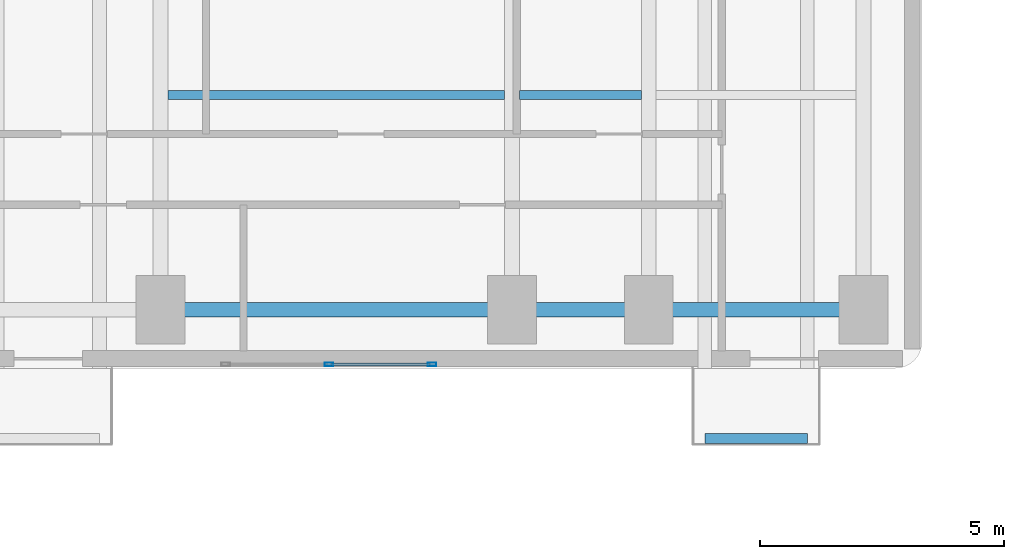
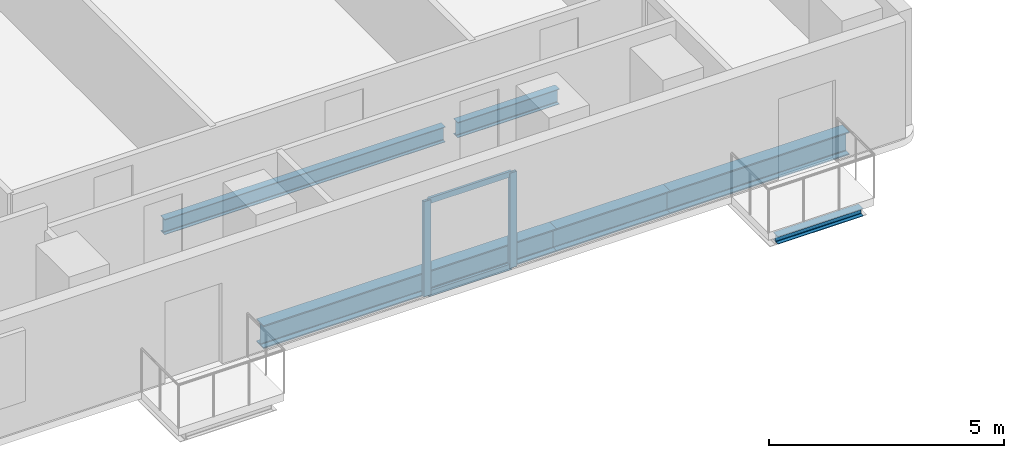
# One storey, part 6 of 17: 6 beams, 4 members, 1 element without a shape of its own.
"""IFC4 building model written with IfcOpenShell, lengths in metres."""

from ifc_helpers import new_model, si_unit, direction, frame, origin, origin_2d, place, context, subcontext, project, spatial, hollow_rectangle, i_section, extrude, material, material_profile, profile_set, type_object, element, aggregate, save


model = new_model("IFC4")

# Units and contexts
model_context = context("Model", 3, precision=1e-05, world=origin(), true_north=direction((0.0, 1.0)))
body_context = subcontext(model_context, "Body", "Model", "MODEL_VIEW")
ifc_project = project(units=[si_unit("LENGTHUNIT", "METRE"), si_unit("AREAUNIT", "SQUARE_METRE"), si_unit("VOLUMEUNIT", "CUBIC_METRE"), si_unit("PLANEANGLEUNIT", "RADIAN"), si_unit("MASSUNIT", "GRAM", prefix="KILO")], contexts=[model_context])

# Site, building, storey
site_placement = place(None, origin())
site = spatial("IfcSite", under=ifc_project, at=site_placement, CompositionType="ELEMENT")
building_placement = place(site_placement, origin())
building = spatial("IfcBuilding", under=site, at=building_placement, Name="Kuzgunbayir Cultural Tower", CompositionType="ELEMENT")
storey_placement = place(building_placement, frame((0.0, 0.0, 46.800048828125)))
storey = spatial("IfcBuildingStorey", under=building, at=storey_placement, Name="L12", CompositionType="ELEMENT", Elevation=46.800048828125)

# Beams
ifc_material_1 = material(Name="Steel S355J2", Category="steel")
ifc_material_profile_1 = material_profile(ifc_material_1, i_section(OverallWidth=0.199951171875, OverallDepth=0.199951171875, WebThickness=0.009033203125, FlangeThickness=0.014892578125, FilletRadius=0.01806640625, at=origin_2d()), Name="HEB 200")
ifc_profile_set_1 = profile_set([ifc_material_profile_1], Name="Steel S355J2")
beam_type_1 = type_object("IfcBeamType", Name="BM-CAN-HEB200", PredefinedType="BEAM", material=ifc_profile_set_1)
beam_1_placement = place(storey_placement, frame((42.35009765625, 24.9599609375, -0.300048828125), z_axis=(1.0, 0.0, 0.0), x_axis=(0.0, 1.0, 0.0)))
element("IfcBeam", 1, at=beam_1_placement, inside=storey, type_object=beam_type_1, Name="L12 Balcony Edge Header BAL-L12-WB3", PredefinedType="BEAM", context=body_context, shape_type="SweptSolid", body=[
    extrude(i_section(OverallWidth=0.199951171875, OverallDepth=0.199951171875, WebThickness=0.009033203125, FlangeThickness=0.014892578125, FilletRadius=0.01806640625, at=origin_2d()), origin(), (0.0, 0.0, 1.0), 2.099853515625),
])
ifc_material_profile_2 = material_profile(ifc_material_1, i_section(OverallWidth=0.300048828125, OverallDepth=0.60009765625, WebThickness=0.015380859375, FlangeThickness=0.030029296875, FilletRadius=0.027099609375, at=origin_2d()), Name="HEB 600")
ifc_profile_set_2 = profile_set([ifc_material_profile_2], Name="Steel S355J2")
beam_type_2 = type_object("IfcBeamType", Name="BM-EXT-HEB600", PredefinedType="BEAM", material=ifc_profile_set_2)
beam_2_placement = place(storey_placement, frame((31.199951171875, 27.60009765625, -0.47998046875), z_axis=(1.0, 0.0, 0.0), x_axis=(0.0, 1.0, 0.0)))
element("IfcBeam", 2, at=beam_2_placement, inside=storey, type_object=beam_type_2, Name="L12 Wing B South Girder 2", PredefinedType="BEAM", context=body_context, shape_type="SweptSolid", body=[
    extrude(i_section(OverallWidth=0.300048828125, OverallDepth=0.60009765625, WebThickness=0.015380859375, FlangeThickness=0.030029296875, FilletRadius=0.027099609375, at=origin_2d()), origin(), (0.0, 0.0, 1.0), 7.199951171875),
])
beam_3_placement = place(storey_placement, frame((38.39990234375, 27.60009765625, -0.47998046875), z_axis=(1.0, 0.0, 0.0), x_axis=(0.0, 1.0, 0.0)))
element("IfcBeam", 3, at=beam_3_placement, inside=storey, type_object=beam_type_2, Name="L12 Wing B South Girder 3", PredefinedType="BEAM", context=body_context, shape_type="SweptSolid", body=[
    extrude(i_section(OverallWidth=0.300048828125, OverallDepth=0.60009765625, WebThickness=0.015380859375, FlangeThickness=0.030029296875, FilletRadius=0.027099609375, at=origin_2d()), origin(), (0.0, 0.0, 1.0), 2.800048828125),
])
beam_4_placement = place(storey_placement, frame((41.199951171875, 27.60009765625, -0.47998046875), z_axis=(1.0, 0.0, 0.0), x_axis=(0.0, 1.0, 0.0)))
element("IfcBeam", 4, at=beam_4_placement, inside=storey, type_object=beam_type_2, Name="L12 Wing B South Girder 4", PredefinedType="BEAM", context=body_context, shape_type="SweptSolid", body=[
    extrude(i_section(OverallWidth=0.300048828125, OverallDepth=0.60009765625, WebThickness=0.015380859375, FlangeThickness=0.030029296875, FilletRadius=0.027099609375, at=origin_2d()), origin(), (0.0, 0.0, 1.0), 4.400146484375),
])
ifc_material_profile_3 = material_profile(ifc_material_1, i_section(OverallWidth=0.179931640625, OverallDepth=0.39990234375, WebThickness=0.008544921875, FlangeThickness=0.013427734375, FilletRadius=0.02099609375, at=origin_2d()), Name="IPE 400")
ifc_profile_set_3 = profile_set([ifc_material_profile_3], Name="Steel S355J2")
beam_type_3 = type_object("IfcBeamType", Name="BM-JST-IPE400", PredefinedType="JOIST", material=ifc_profile_set_3)
beam_5_placement = place(storey_placement, frame((31.35009765625, 32.0, -0.380126953125), z_axis=(1.0, 0.0, 0.0), x_axis=(0.0, 1.0, 0.0)))
element("IfcBeam", 5, at=beam_5_placement, inside=storey, type_object=beam_type_3, Name="L12 Wing B Secondary Joist 1.1", PredefinedType="JOIST", context=body_context, shape_type="SweptSolid", body=[
    extrude(i_section(OverallWidth=0.179931640625, OverallDepth=0.39990234375, WebThickness=0.008544921875, FlangeThickness=0.013427734375, FilletRadius=0.02099609375, at=origin_2d()), origin(), (0.0, 0.0, 1.0), 6.89990234375),
])
beam_6_placement = place(storey_placement, frame((38.550048828125, 32.0, -0.380126953125), z_axis=(1.0, 0.0, 0.0), x_axis=(0.0, 1.0, 0.0)))
element("IfcBeam", 6, at=beam_6_placement, inside=storey, type_object=beam_type_3, Name="L12 Wing B Secondary Joist 2.1", PredefinedType="JOIST", context=body_context, shape_type="SweptSolid", body=[
    extrude(i_section(OverallWidth=0.179931640625, OverallDepth=0.39990234375, WebThickness=0.008544921875, FlangeThickness=0.013427734375, FilletRadius=0.02099609375, at=origin_2d()), origin(), (0.0, 0.0, 1.0), 2.5),
])

# Curtain wall, members
ifc_material_2 = material(Name="Anodised Aluminium Framing", Category="aluminium")
curtain_wall_type = type_object("IfcCurtainWallType", Name="CW03-T1-OFFICE", PredefinedType="NOTDEFINED", material=ifc_material_2)
curtain_wall_placement = place(storey_placement, origin())
curtain_wall = element("IfcCurtainWall", 7, at=curtain_wall_placement, inside=storey, type_object=curtain_wall_type, Name="L12 Wing B South Feature Curtain Wall", PredefinedType="NOTDEFINED")
ifc_material_profile_4 = material_profile(ifc_material_2, hollow_rectangle(XDim=0.074951171875, YDim=0.179931640625, WallThickness=0.0048828125, at=origin_2d()), Name="RHS 180x75x5")
ifc_profile_set_4 = profile_set([ifc_material_profile_4], Name="Anodised Aluminium Framing")
member_type_1 = type_object("IfcMemberType", Name="MEM-CW-MULLION-180", PredefinedType="MULLION", material=ifc_profile_set_4)
member_1_placement = place(storey_placement, frame((34.64990234375, 26.47998046875, 0.0), z_axis=(0.0, 0.0, 1.0), x_axis=(0.0, 1.0, 0.0)))
member_1 = element("IfcMember", 8, at=member_1_placement, type_object=member_type_1, Name="CW03 mullion 2", PredefinedType="MULLION", context=body_context, shape_type="SweptSolid", body=[
    extrude(hollow_rectangle(XDim=0.074951171875, YDim=0.179931640625, WallThickness=0.0048828125, at=origin_2d()), origin(), (0.0, 0.0, 1.0), 2.469970703125),
])
member_2_placement = place(storey_placement, frame((36.762451171875, 26.47998046875, 0.0), z_axis=(0.0, 0.0, 1.0), x_axis=(0.0, 1.0, 0.0)))
member_2 = element("IfcMember", 9, at=member_2_placement, type_object=member_type_1, Name="CW03 mullion 3", PredefinedType="MULLION", context=body_context, shape_type="SweptSolid", body=[
    extrude(hollow_rectangle(XDim=0.074951171875, YDim=0.179931640625, WallThickness=0.0048828125, at=origin_2d()), origin(), (0.0, 0.0, 1.0), 2.469970703125),
])
ifc_material_profile_5 = material_profile(ifc_material_2, hollow_rectangle(XDim=0.06005859375, YDim=0.14990234375, WallThickness=0.00390625, at=origin_2d()), Name="RHS 150x60x4")
ifc_profile_set_5 = profile_set([ifc_material_profile_5], Name="Anodised Aluminium Framing")
member_type_2 = type_object("IfcMemberType", Name="MEM-CW-TRANSOM-150", PredefinedType="USERDEFINED", material=ifc_profile_set_5)
member_3_placement = place(storey_placement, frame((34.6875, 26.47998046875, 0.030029296875), z_axis=(1.0, 0.0, 0.0), x_axis=(0.0, 1.0, 0.0)))
member_3 = element("IfcMember", 10, at=member_3_placement, type_object=member_type_2, Name="CW03 transom 2.1", ObjectType="TRANSOM", PredefinedType="USERDEFINED", context=body_context, shape_type="SweptSolid", body=[
    extrude(hollow_rectangle(XDim=0.06005859375, YDim=0.14990234375, WallThickness=0.00390625, at=origin_2d()), origin(), (0.0, 0.0, 1.0), 2.03759765625),
])
member_4_placement = place(storey_placement, frame((34.6875, 26.47998046875, 2.43994140625), z_axis=(1.0, 0.0, 0.0), x_axis=(0.0, 1.0, 0.0)))
member_4 = element("IfcMember", 11, at=member_4_placement, type_object=member_type_2, Name="CW03 transom 2.2", ObjectType="TRANSOM", PredefinedType="USERDEFINED", context=body_context, shape_type="SweptSolid", body=[
    extrude(hollow_rectangle(XDim=0.06005859375, YDim=0.14990234375, WallThickness=0.00390625, at=origin_2d()), origin(), (0.0, 0.0, 1.0), 2.03759765625),
])
aggregate(curtain_wall, [member_1, member_2, member_3, member_4])

save(model, "model.ifc")
